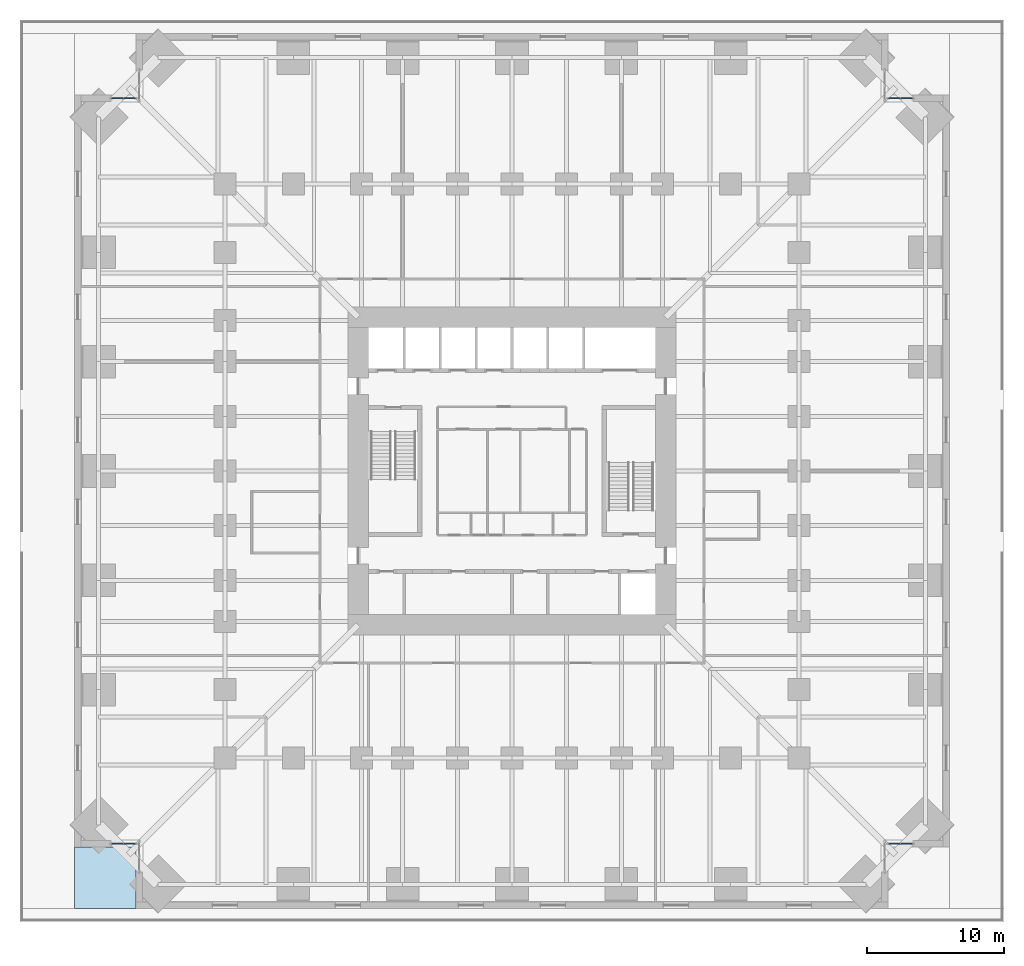
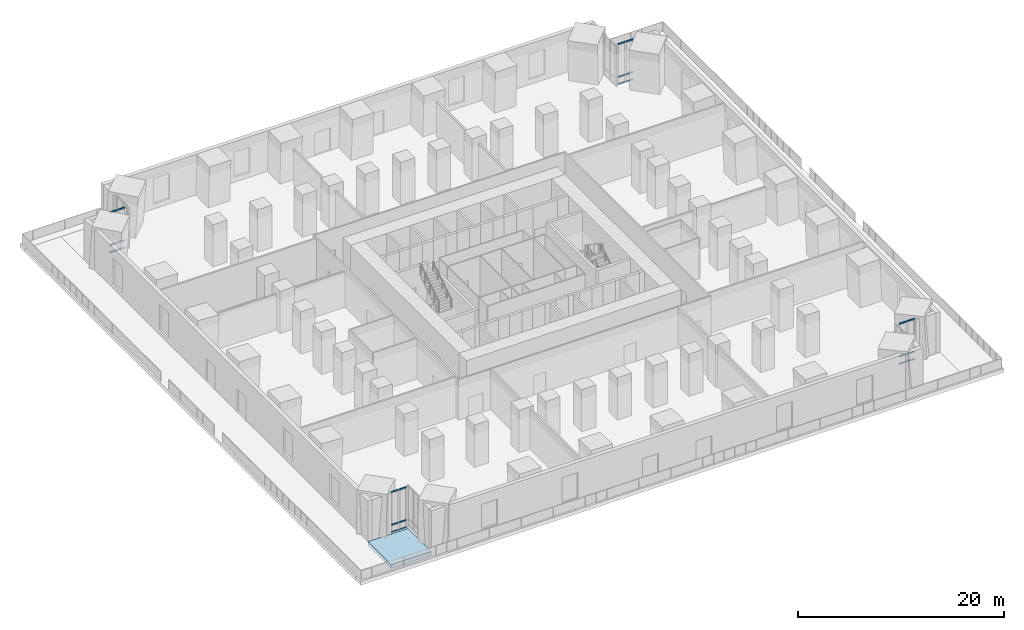
# One storey, part 12 of 26: 24 members, 1 slab, 4 elements without a shape of their own.
"""IFC4 building model written with IfcOpenShell, lengths in metres."""

from ifc_helpers import new_model, si_unit, direction, frame, origin, origin_2d, place, context, subcontext, project, spatial, polyline, hollow_rectangle, outline, extrude, boolean, material, layer, layer_set, material_profile, profile_set, type_object, element, aggregate, save


model = new_model("IFC4")

# Units and contexts
model_context = context("Model", 3, precision=1e-05, world=origin(), true_north=direction((0.0, 1.0)))
body_context = subcontext(model_context, "Body", "Model", "MODEL_VIEW")
ifc_project = project(units=[si_unit("LENGTHUNIT", "METRE"), si_unit("AREAUNIT", "SQUARE_METRE"), si_unit("VOLUMEUNIT", "CUBIC_METRE"), si_unit("PLANEANGLEUNIT", "RADIAN"), si_unit("MASSUNIT", "GRAM", prefix="KILO")], contexts=[model_context])

# Site, building, storey
site_placement = place(None, origin())
site = spatial("IfcSite", under=ifc_project, at=site_placement, CompositionType="ELEMENT")
building_placement = place(site_placement, origin())
building = spatial("IfcBuilding", under=site, at=building_placement, Name="Peilmerk Tower", CompositionType="ELEMENT")
storey_placement = place(building_placement, frame((0.0, 0.0, 16.0)))
storey = spatial("IfcBuildingStorey", under=building, at=storey_placement, Name="L03", CompositionType="ELEMENT", Elevation=16.0)

# Curtain wall, members
ifc_material_1 = material(Name="Aluminium stick curtain wall", Category="aluminium")
curtain_wall_type = type_object("IfcCurtainWallType", Name="CW1 stick curtain wall, 1500 module", PredefinedType="NOTDEFINED", material=ifc_material_1)
curtain_wall_1_placement = place(storey_placement, origin())
curtain_wall_1 = element("IfcCurtainWall", 1, at=curtain_wall_1_placement, inside=storey, type_object=curtain_wall_type, Name="Curtain wall CW1 NEB L03", PredefinedType="NOTDEFINED")
ifc_material_2 = material(Name="Aluminium EN AW-6063 T6", Category="aluminium")
ifc_material_profile = material_profile(ifc_material_2, hollow_rectangle(XDim=0.06494140625, YDim=0.179931640625, WallThickness=0.0029296875, at=origin_2d()), Name="AL 180x65x3")
ifc_profile_set = profile_set([ifc_material_profile], Name="Aluminium EN AW-6063 T6")
member_type = type_object("IfcMemberType", Name="CW1-T AL 180x65x3 transom", PredefinedType="USERDEFINED", material=ifc_profile_set)
member_1_placement = place(storey_placement, frame((27.56494140625, 27.27490234375, 0.032470703125), z_axis=(1.0, 0.0, 0.0), x_axis=(0.0, 1.0, 0.0)))
member_1 = element("IfcMember", 2, at=member_1_placement, type_object=member_type, Name="CW1 transom 1.1", ObjectType="TRANSOM", PredefinedType="USERDEFINED", context=body_context, shape_type="SweptSolid", body=[
    extrude(hollow_rectangle(XDim=0.06494140625, YDim=0.179931640625, WallThickness=0.0029296875, at=origin_2d()), origin(), (0.0, 0.0, 1.0), 0.82177734375),
])
member_2_placement = place(storey_placement, frame((27.56494140625, 27.27490234375, 0.89990234375), z_axis=(1.0, 0.0, 0.0), x_axis=(0.0, 1.0, 0.0)))
member_2 = element("IfcMember", 3, at=member_2_placement, type_object=member_type, Name="CW1 transom 1.2", ObjectType="TRANSOM", PredefinedType="USERDEFINED", context=body_context, shape_type="SweptSolid", body=[
    extrude(hollow_rectangle(XDim=0.06494140625, YDim=0.179931640625, WallThickness=0.0029296875, at=origin_2d()), origin(), (0.0, 0.0, 1.0), 0.82177734375),
])
member_3_placement = place(storey_placement, frame((27.56494140625, 27.27490234375, 4.767578125), z_axis=(1.0, 0.0, 0.0), x_axis=(0.0, 1.0, 0.0)))
member_3 = element("IfcMember", 4, at=member_3_placement, type_object=member_type, Name="CW1 transom 1.3", ObjectType="TRANSOM", PredefinedType="USERDEFINED", context=body_context, shape_type="SweptSolid", body=[
    extrude(hollow_rectangle(XDim=0.06494140625, YDim=0.179931640625, WallThickness=0.0029296875, at=origin_2d()), origin(), (0.0, 0.0, 1.0), 0.82177734375),
])
member_4_placement = place(storey_placement, frame((28.451904296875, 27.27490234375, 0.032470703125), z_axis=(1.0, 0.0, 0.0), x_axis=(0.0, 1.0, 0.0)))
member_4 = element("IfcMember", 5, at=member_4_placement, type_object=member_type, Name="CW1 transom 2.1", ObjectType="TRANSOM", PredefinedType="USERDEFINED", context=body_context, shape_type="SweptSolid", body=[
    extrude(hollow_rectangle(XDim=0.06494140625, YDim=0.179931640625, WallThickness=0.0029296875, at=origin_2d()), origin(), (0.0, 0.0, 1.0), 0.82177734375),
])
member_5_placement = place(storey_placement, frame((28.451904296875, 27.27490234375, 0.89990234375), z_axis=(1.0, 0.0, 0.0), x_axis=(0.0, 1.0, 0.0)))
member_5 = element("IfcMember", 6, at=member_5_placement, type_object=member_type, Name="CW1 transom 2.2", ObjectType="TRANSOM", PredefinedType="USERDEFINED", context=body_context, shape_type="SweptSolid", body=[
    extrude(hollow_rectangle(XDim=0.06494140625, YDim=0.179931640625, WallThickness=0.0029296875, at=origin_2d()), origin(), (0.0, 0.0, 1.0), 0.82177734375),
])
member_6_placement = place(storey_placement, frame((28.451904296875, 27.27490234375, 4.767578125), z_axis=(1.0, 0.0, 0.0), x_axis=(0.0, 1.0, 0.0)))
member_6 = element("IfcMember", 7, at=member_6_placement, type_object=member_type, Name="CW1 transom 2.3", ObjectType="TRANSOM", PredefinedType="USERDEFINED", context=body_context, shape_type="SweptSolid", body=[
    extrude(hollow_rectangle(XDim=0.06494140625, YDim=0.179931640625, WallThickness=0.0029296875, at=origin_2d()), origin(), (0.0, 0.0, 1.0), 0.82177734375),
])
aggregate(curtain_wall_1, [member_1, member_2, member_3, member_4, member_5, member_6])

curtain_wall_2_placement = place(storey_placement, origin())
curtain_wall_2 = element("IfcCurtainWall", 8, at=curtain_wall_2_placement, inside=storey, type_object=curtain_wall_type, Name="Curtain wall CW1 SEB L03", PredefinedType="NOTDEFINED")
member_7_placement = place(storey_placement, frame((27.56494140625, -27.27490234375, 0.032470703125), z_axis=(1.0, 0.0, 0.0), x_axis=(0.0, 1.0, 0.0)))
member_7 = element("IfcMember", 9, at=member_7_placement, type_object=member_type, Name="CW1 transom 1.1", ObjectType="TRANSOM", PredefinedType="USERDEFINED", context=body_context, shape_type="SweptSolid", body=[
    extrude(hollow_rectangle(XDim=0.06494140625, YDim=0.179931640625, WallThickness=0.0029296875, at=origin_2d()), origin(), (0.0, 0.0, 1.0), 0.82177734375),
])
member_8_placement = place(storey_placement, frame((27.56494140625, -27.27490234375, 0.89990234375), z_axis=(1.0, 0.0, 0.0), x_axis=(0.0, 1.0, 0.0)))
member_8 = element("IfcMember", 10, at=member_8_placement, type_object=member_type, Name="CW1 transom 1.2", ObjectType="TRANSOM", PredefinedType="USERDEFINED", context=body_context, shape_type="SweptSolid", body=[
    extrude(hollow_rectangle(XDim=0.06494140625, YDim=0.179931640625, WallThickness=0.0029296875, at=origin_2d()), origin(), (0.0, 0.0, 1.0), 0.82177734375),
])
member_9_placement = place(storey_placement, frame((27.56494140625, -27.27490234375, 4.767578125), z_axis=(1.0, 0.0, 0.0), x_axis=(0.0, 1.0, 0.0)))
member_9 = element("IfcMember", 11, at=member_9_placement, type_object=member_type, Name="CW1 transom 1.3", ObjectType="TRANSOM", PredefinedType="USERDEFINED", context=body_context, shape_type="SweptSolid", body=[
    extrude(hollow_rectangle(XDim=0.06494140625, YDim=0.179931640625, WallThickness=0.0029296875, at=origin_2d()), origin(), (0.0, 0.0, 1.0), 0.82177734375),
])
member_10_placement = place(storey_placement, frame((28.451904296875, -27.27490234375, 0.032470703125), z_axis=(1.0, 0.0, 0.0), x_axis=(0.0, 1.0, 0.0)))
member_10 = element("IfcMember", 12, at=member_10_placement, type_object=member_type, Name="CW1 transom 2.1", ObjectType="TRANSOM", PredefinedType="USERDEFINED", context=body_context, shape_type="SweptSolid", body=[
    extrude(hollow_rectangle(XDim=0.06494140625, YDim=0.179931640625, WallThickness=0.0029296875, at=origin_2d()), origin(), (0.0, 0.0, 1.0), 0.82177734375),
])
member_11_placement = place(storey_placement, frame((28.451904296875, -27.27490234375, 0.89990234375), z_axis=(1.0, 0.0, 0.0), x_axis=(0.0, 1.0, 0.0)))
member_11 = element("IfcMember", 13, at=member_11_placement, type_object=member_type, Name="CW1 transom 2.2", ObjectType="TRANSOM", PredefinedType="USERDEFINED", context=body_context, shape_type="SweptSolid", body=[
    extrude(hollow_rectangle(XDim=0.06494140625, YDim=0.179931640625, WallThickness=0.0029296875, at=origin_2d()), origin(), (0.0, 0.0, 1.0), 0.82177734375),
])
member_12_placement = place(storey_placement, frame((28.451904296875, -27.27490234375, 4.767578125), z_axis=(1.0, 0.0, 0.0), x_axis=(0.0, 1.0, 0.0)))
member_12 = element("IfcMember", 14, at=member_12_placement, type_object=member_type, Name="CW1 transom 2.3", ObjectType="TRANSOM", PredefinedType="USERDEFINED", context=body_context, shape_type="SweptSolid", body=[
    extrude(hollow_rectangle(XDim=0.06494140625, YDim=0.179931640625, WallThickness=0.0029296875, at=origin_2d()), origin(), (0.0, 0.0, 1.0), 0.82177734375),
])
aggregate(curtain_wall_2, [member_7, member_8, member_9, member_10, member_11, member_12])

curtain_wall_3_placement = place(storey_placement, origin())
curtain_wall_3 = element("IfcCurtainWall", 15, at=curtain_wall_3_placement, inside=storey, type_object=curtain_wall_type, Name="Curtain wall CW1 SWB L03", PredefinedType="NOTDEFINED")
member_13_placement = place(storey_placement, frame((-27.56494140625, -27.27490234375, 0.032470703125), z_axis=(-1.0, 0.0, 0.0), x_axis=(0.0, -1.0, 0.0)))
member_13 = element("IfcMember", 16, at=member_13_placement, type_object=member_type, Name="CW1 transom 1.1", ObjectType="TRANSOM", PredefinedType="USERDEFINED", context=body_context, shape_type="SweptSolid", body=[
    extrude(hollow_rectangle(XDim=0.06494140625, YDim=0.179931640625, WallThickness=0.0029296875, at=origin_2d()), origin(), (0.0, 0.0, 1.0), 0.82177734375),
])
member_14_placement = place(storey_placement, frame((-27.56494140625, -27.27490234375, 0.89990234375), z_axis=(-1.0, 0.0, 0.0), x_axis=(0.0, -1.0, 0.0)))
member_14 = element("IfcMember", 17, at=member_14_placement, type_object=member_type, Name="CW1 transom 1.2", ObjectType="TRANSOM", PredefinedType="USERDEFINED", context=body_context, shape_type="SweptSolid", body=[
    extrude(hollow_rectangle(XDim=0.06494140625, YDim=0.179931640625, WallThickness=0.0029296875, at=origin_2d()), origin(), (0.0, 0.0, 1.0), 0.82177734375),
])
member_15_placement = place(storey_placement, frame((-27.56494140625, -27.27490234375, 4.767578125), z_axis=(-1.0, 0.0, 0.0), x_axis=(0.0, -1.0, 0.0)))
member_15 = element("IfcMember", 18, at=member_15_placement, type_object=member_type, Name="CW1 transom 1.3", ObjectType="TRANSOM", PredefinedType="USERDEFINED", context=body_context, shape_type="SweptSolid", body=[
    extrude(hollow_rectangle(XDim=0.06494140625, YDim=0.179931640625, WallThickness=0.0029296875, at=origin_2d()), origin(), (0.0, 0.0, 1.0), 0.82177734375),
])
member_16_placement = place(storey_placement, frame((-28.451904296875, -27.27490234375, 0.032470703125), z_axis=(-1.0, 0.0, 0.0), x_axis=(0.0, -1.0, 0.0)))
member_16 = element("IfcMember", 19, at=member_16_placement, type_object=member_type, Name="CW1 transom 2.1", ObjectType="TRANSOM", PredefinedType="USERDEFINED", context=body_context, shape_type="SweptSolid", body=[
    extrude(hollow_rectangle(XDim=0.06494140625, YDim=0.179931640625, WallThickness=0.0029296875, at=origin_2d()), origin(), (0.0, 0.0, 1.0), 0.82177734375),
])
member_17_placement = place(storey_placement, frame((-28.451904296875, -27.27490234375, 0.89990234375), z_axis=(-1.0, 0.0, 0.0), x_axis=(0.0, -1.0, 0.0)))
member_17 = element("IfcMember", 20, at=member_17_placement, type_object=member_type, Name="CW1 transom 2.2", ObjectType="TRANSOM", PredefinedType="USERDEFINED", context=body_context, shape_type="SweptSolid", body=[
    extrude(hollow_rectangle(XDim=0.06494140625, YDim=0.179931640625, WallThickness=0.0029296875, at=origin_2d()), origin(), (0.0, 0.0, 1.0), 0.82177734375),
])
member_18_placement = place(storey_placement, frame((-28.451904296875, -27.27490234375, 4.767578125), z_axis=(-1.0, 0.0, 0.0), x_axis=(0.0, -1.0, 0.0)))
member_18 = element("IfcMember", 21, at=member_18_placement, type_object=member_type, Name="CW1 transom 2.3", ObjectType="TRANSOM", PredefinedType="USERDEFINED", context=body_context, shape_type="SweptSolid", body=[
    extrude(hollow_rectangle(XDim=0.06494140625, YDim=0.179931640625, WallThickness=0.0029296875, at=origin_2d()), origin(), (0.0, 0.0, 1.0), 0.82177734375),
])
aggregate(curtain_wall_3, [member_13, member_14, member_15, member_16, member_17, member_18])

curtain_wall_4_placement = place(storey_placement, origin())
curtain_wall_4 = element("IfcCurtainWall", 22, at=curtain_wall_4_placement, inside=storey, type_object=curtain_wall_type, Name="Curtain wall CW1 NWB L03", PredefinedType="NOTDEFINED")
member_19_placement = place(storey_placement, frame((-27.56494140625, 27.27490234375, 0.032470703125), z_axis=(-1.0, 0.0, 0.0), x_axis=(0.0, -1.0, 0.0)))
member_19 = element("IfcMember", 23, at=member_19_placement, type_object=member_type, Name="CW1 transom 1.1", ObjectType="TRANSOM", PredefinedType="USERDEFINED", context=body_context, shape_type="SweptSolid", body=[
    extrude(hollow_rectangle(XDim=0.06494140625, YDim=0.179931640625, WallThickness=0.0029296875, at=origin_2d()), origin(), (0.0, 0.0, 1.0), 0.82177734375),
])
member_20_placement = place(storey_placement, frame((-27.56494140625, 27.27490234375, 0.89990234375), z_axis=(-1.0, 0.0, 0.0), x_axis=(0.0, -1.0, 0.0)))
member_20 = element("IfcMember", 24, at=member_20_placement, type_object=member_type, Name="CW1 transom 1.2", ObjectType="TRANSOM", PredefinedType="USERDEFINED", context=body_context, shape_type="SweptSolid", body=[
    extrude(hollow_rectangle(XDim=0.06494140625, YDim=0.179931640625, WallThickness=0.0029296875, at=origin_2d()), origin(), (0.0, 0.0, 1.0), 0.82177734375),
])
member_21_placement = place(storey_placement, frame((-27.56494140625, 27.27490234375, 4.767578125), z_axis=(-1.0, 0.0, 0.0), x_axis=(0.0, -1.0, 0.0)))
member_21 = element("IfcMember", 25, at=member_21_placement, type_object=member_type, Name="CW1 transom 1.3", ObjectType="TRANSOM", PredefinedType="USERDEFINED", context=body_context, shape_type="SweptSolid", body=[
    extrude(hollow_rectangle(XDim=0.06494140625, YDim=0.179931640625, WallThickness=0.0029296875, at=origin_2d()), origin(), (0.0, 0.0, 1.0), 0.82177734375),
])
member_22_placement = place(storey_placement, frame((-28.451904296875, 27.27490234375, 0.032470703125), z_axis=(-1.0, 0.0, 0.0), x_axis=(0.0, -1.0, 0.0)))
member_22 = element("IfcMember", 26, at=member_22_placement, type_object=member_type, Name="CW1 transom 2.1", ObjectType="TRANSOM", PredefinedType="USERDEFINED", context=body_context, shape_type="SweptSolid", body=[
    extrude(hollow_rectangle(XDim=0.06494140625, YDim=0.179931640625, WallThickness=0.0029296875, at=origin_2d()), origin(), (0.0, 0.0, 1.0), 0.82177734375),
])
member_23_placement = place(storey_placement, frame((-28.451904296875, 27.27490234375, 0.89990234375), z_axis=(-1.0, 0.0, 0.0), x_axis=(0.0, -1.0, 0.0)))
member_23 = element("IfcMember", 27, at=member_23_placement, type_object=member_type, Name="CW1 transom 2.2", ObjectType="TRANSOM", PredefinedType="USERDEFINED", context=body_context, shape_type="SweptSolid", body=[
    extrude(hollow_rectangle(XDim=0.06494140625, YDim=0.179931640625, WallThickness=0.0029296875, at=origin_2d()), origin(), (0.0, 0.0, 1.0), 0.82177734375),
])
member_24_placement = place(storey_placement, frame((-28.451904296875, 27.27490234375, 4.767578125), z_axis=(-1.0, 0.0, 0.0), x_axis=(0.0, -1.0, 0.0)))
member_24 = element("IfcMember", 28, at=member_24_placement, type_object=member_type, Name="CW1 transom 2.3", ObjectType="TRANSOM", PredefinedType="USERDEFINED", context=body_context, shape_type="SweptSolid", body=[
    extrude(hollow_rectangle(XDim=0.06494140625, YDim=0.179931640625, WallThickness=0.0029296875, at=origin_2d()), origin(), (0.0, 0.0, 1.0), 0.82177734375),
])
aggregate(curtain_wall_4, [member_19, member_20, member_21, member_22, member_23, member_24])

# Slab
ifc_material_3 = material(Name="Concrete C35/45", Category="concrete")
ifc_layer = layer(ifc_material_3, 0.449951171875)
ifc_layer_set = layer_set([ifc_layer], Name="Concrete C35/45")
slab_type = type_object("IfcSlabType", Name="TS450 450 terrace roof slab", PredefinedType="ROOF", material=ifc_layer_set)
slab_placement = place(storey_placement, frame((0.0, 0.0, -0.449951171875)))
element("IfcSlab", 29, at=slab_placement, inside=storey, type_object=slab_type, Name="Terrace slab L03 SW", PredefinedType="ROOF", context=body_context, shape_type="CSG", body=[
    boolean("DIFFERENCE", extrude(outline(polyline([(-27.5, -27.5), (-32.0, -27.5), (-32.0, -32.0), (-27.5, -32.0), (-27.5, -27.5)])), origin(), (0.0, 0.0, 1.0), 0.449951171875), extrude(outline(polyline([(-27.5, -29.218994140625), (-29.218994140625, -27.5), (-28.08740234375, -27.5), (-27.5, -28.08740234375), (-27.5, -29.218994140625)])), frame((0.0, 0.0, -0.010009765625)), (0.0, 0.0, 1.0), 0.260009765625)),
])

save(model, "model.ifc")
